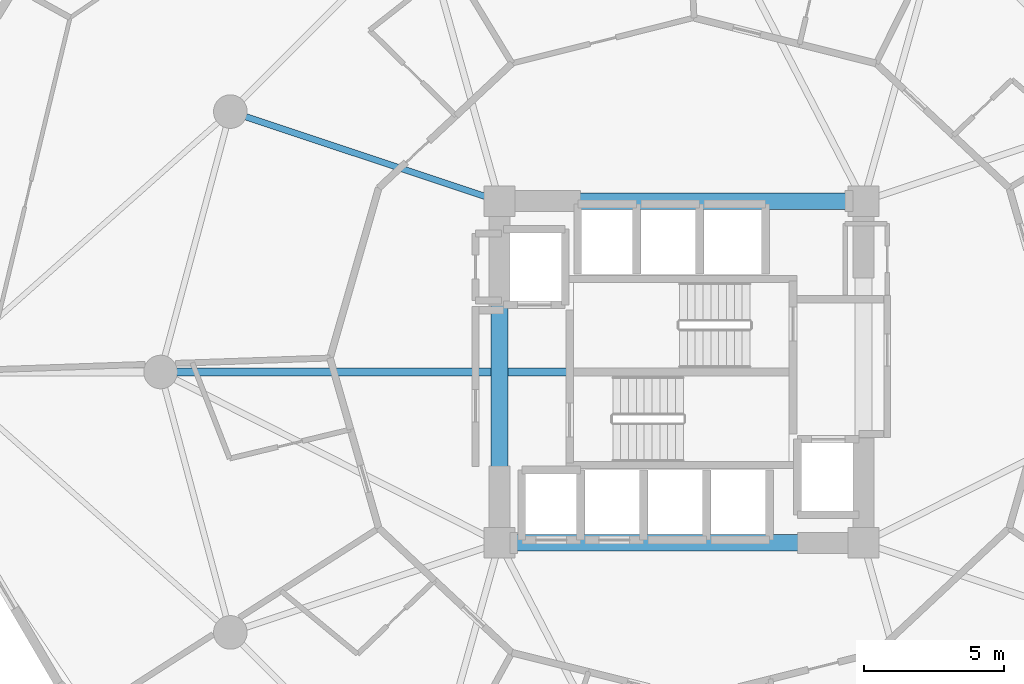
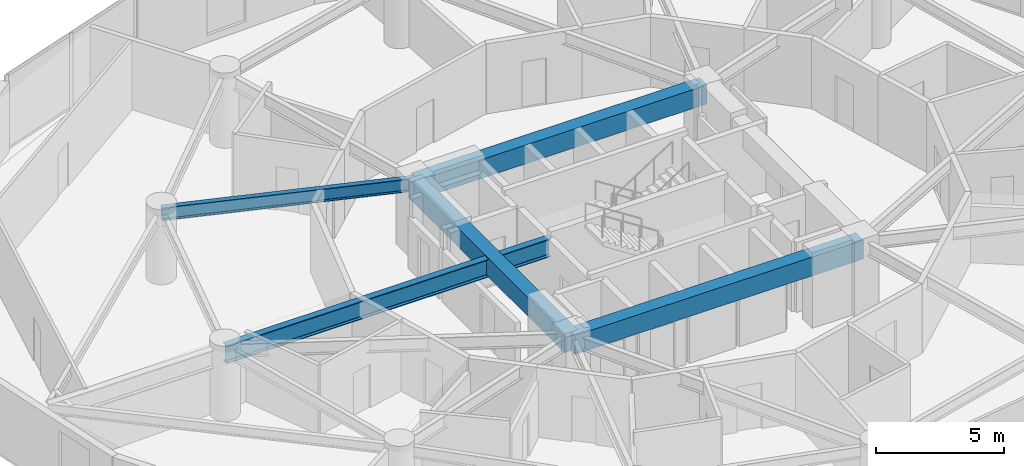
# One storey, part 5 of 23: 5 beams.
"""IFC4 building model written with IfcOpenShell, lengths in metres."""

from ifc_helpers import new_model, si_unit, direction, frame, origin, origin_2d, place, context, subcontext, project, spatial, rectangle, i_section, extrude, material, material_profile, profile_set, type_object, element, save


model = new_model("IFC4")

# Units and contexts
model_context = context("Model", 3, precision=1e-05, world=origin(), true_north=direction((0.0, 1.0)))
body_context = subcontext(model_context, "Body", "Model", "MODEL_VIEW")
ifc_project = project(units=[si_unit("LENGTHUNIT", "METRE"), si_unit("AREAUNIT", "SQUARE_METRE"), si_unit("VOLUMEUNIT", "CUBIC_METRE"), si_unit("PLANEANGLEUNIT", "RADIAN"), si_unit("MASSUNIT", "GRAM", prefix="KILO")], contexts=[model_context])

# Site, building, storey
site_placement = place(None, origin())
site = spatial("IfcSite", under=ifc_project, at=site_placement, CompositionType="ELEMENT")
building_placement = place(site_placement, origin())
building = spatial("IfcBuilding", under=site, at=building_placement, Name="Solvirekh Grand Hotel", CompositionType="ELEMENT")
storey_placement = place(building_placement, frame((0.0, 0.0, 75.199951171875)))
storey = spatial("IfcBuildingStorey", under=building, at=storey_placement, Name="L18", CompositionType="ELEMENT", Elevation=75.199951171875)

# Beams
ifc_material_1 = material(Name="Concrete C50/60", Category="concrete")
ifc_material_profile_1 = material_profile(ifc_material_1, rectangle(XDim=0.60009765625, YDim=0.89990234375, at=origin_2d()), Name="RC BEAM 600X900")
ifc_profile_set_1 = profile_set([ifc_material_profile_1], Name="Concrete C50/60")
beam_type_1 = type_object("IfcBeamType", Name="Beam_Core_RC900", PredefinedType="BEAM", material=ifc_profile_set_1)
for number, where, z_axis, x_axis, name in (
    (1, (-6.5, -6.10009765625, 2.89013671875), (1.0, 0.0, 0.0), (0.0, 1.0, 0.0), "L18 core coupling ring beam 1"),
    (2, (6.5, 6.10009765625, 2.89013671875), (-1.0, 0.0, 0.0), (0.0, -1.0, 0.0), "L18 core coupling ring beam 3"),
):
    element("IfcBeam", number, at=place(storey_placement, frame(where, z_axis=z_axis, x_axis=x_axis)), inside=storey, type_object=beam_type_1, Name=name, PredefinedType="BEAM", context=body_context, shape_type="SweptSolid", body=[
        extrude(rectangle(XDim=0.60009765625, YDim=0.89990234375, at=origin_2d()), origin(), (0.0, 0.0, 1.0), 13.0),
    ])
beam_1_placement = place(storey_placement, frame((-6.5, 6.10009765625, 2.89013671875), z_axis=(0.0, -1.0, 0.0), x_axis=(1.0, 0.0, 0.0)))
element("IfcBeam", 3, at=beam_1_placement, inside=storey, type_object=beam_type_1, Name="L18 core coupling ring beam 4", PredefinedType="BEAM", context=body_context, shape_type="SweptSolid", body=[
    extrude(rectangle(XDim=0.60009765625, YDim=0.89990234375, at=origin_2d()), origin(), (0.0, 0.0, 1.0), 12.2001953125),
])
ifc_material_2 = material(Name="Steel S460", Category="steel")
ifc_material_profile_2 = material_profile(ifc_material_2, i_section(OverallWidth=0.302001953125, OverallDepth=0.85498046875, WebThickness=0.01904296875, FlangeThickness=0.032958984375, FilletRadius=0.01806640625, at=origin_2d()), Name="W840X299")
ifc_profile_set_2 = profile_set([ifc_material_profile_2], Name="Steel S460")
beam_type_2 = type_object("IfcBeamType", Name="Beam_PoolTie_W840", PredefinedType="BEAM", material=ifc_profile_set_2)
beam_2_placement = place(storey_placement, frame((-3.989990234375, 0.0, 2.862060546875), z_axis=(-1.0, 0.0, 0.0), x_axis=(0.0, -1.0, 0.0)))
element("IfcBeam", 4, at=beam_2_placement, inside=storey, type_object=beam_type_2, Name="L19 sky-garden back-span tie girder", PredefinedType="BEAM", context=body_context, shape_type="SweptSolid", body=[
    extrude(i_section(OverallWidth=0.302001953125, OverallDepth=0.85498046875, WebThickness=0.01904296875, FlangeThickness=0.032958984375, FilletRadius=0.01806640625, at=origin_2d()), origin(), (0.0, 0.0, 1.0), 14.610107421875),
])
ifc_material_3 = material(Name="Steel S355", Category="steel")
ifc_material_profile_3 = material_profile(ifc_material_3, i_section(OverallWidth=0.22998046875, OverallDepth=0.615966796875, WebThickness=0.013916015625, FlangeThickness=0.02392578125, FilletRadius=0.014892578125, at=origin_2d()), Name="W610X174")
ifc_profile_set_3 = profile_set([ifc_material_profile_3], Name="Steel S355")
beam_type_3 = type_object("IfcBeamType", Name="Beam_Primary_W610H", PredefinedType="BEAM", material=ifc_profile_set_3)
beam_3_placement = place(storey_placement, frame((-6.5, 6.10009765625, 3.031982421875), z_axis=(-0.948762825819, 0.315989082635, 0.0), x_axis=(-0.315989082635, -0.948762825819, 0.0)))
element("IfcBeam", 5, at=beam_3_placement, inside=storey, type_object=beam_type_3, Name="L18 radial floor beam R06", PredefinedType="BEAM", context=body_context, shape_type="SweptSolid", body=[
    extrude(i_section(OverallWidth=0.22998046875, OverallDepth=0.615966796875, WebThickness=0.013916015625, FlangeThickness=0.02392578125, FilletRadius=0.014892578125, at=origin_2d()), origin(), (0.0, 0.0, 1.0), 10.126708984375),
])

save(model, "model.ifc")
